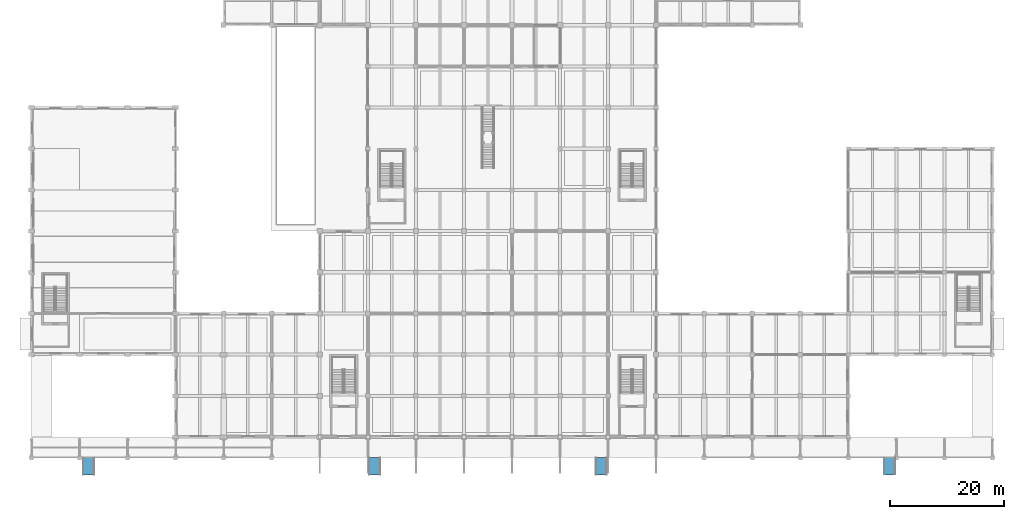
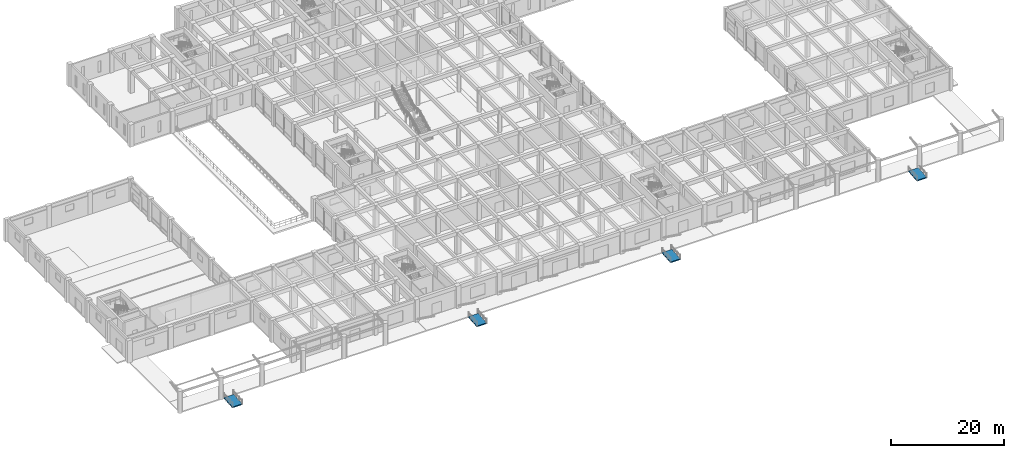
# One storey, part 37 of 49: 4 ramp flights, 4 elements without a shape of their own.
"""IFC4 building model written with IfcOpenShell, lengths in metres."""

from ifc_helpers import new_model, si_unit, direction, frame, origin, place, context, subcontext, project, spatial, polyline, outline, extrude, material, layer, layer_set, type_object, element, aggregate, save


model = new_model("IFC4")

# Units and contexts
model_context = context("Model", 3, precision=1e-05, world=origin(), true_north=direction((0.0, 1.0)))
body_context = subcontext(model_context, "Body", "Model", "MODEL_VIEW")
ifc_project = project(units=[si_unit("LENGTHUNIT", "METRE"), si_unit("AREAUNIT", "SQUARE_METRE"), si_unit("VOLUMEUNIT", "CUBIC_METRE"), si_unit("PLANEANGLEUNIT", "RADIAN"), si_unit("MASSUNIT", "GRAM", prefix="KILO")], contexts=[model_context])

# Site, building, storey
site_placement = place(None, origin())
site = spatial("IfcSite", under=ifc_project, at=site_placement, CompositionType="ELEMENT")
building_placement = place(site_placement, origin())
building = spatial("IfcBuilding", under=site, at=building_placement, Name="Kenerak Square Central Library", CompositionType="ELEMENT")
storey_placement = place(building_placement, origin())
storey = spatial("IfcBuildingStorey", under=building, at=storey_placement, Name="L00", CompositionType="ELEMENT", Elevation=0.0)

# Ramp, ramp flight
ifc_material = material(Name="Concrete C40/50", Category="concrete")
ramp_type = type_object("IfcRampType", Name="Universal Accessible Plaza Ramp PR-2000 C40/50", PredefinedType="STRAIGHT_RUN_RAMP", material=ifc_material)
ramp_1_placement = place(storey_placement, origin())
ramp_1 = element("IfcRamp", 1, at=ramp_1_placement, inside=storey, type_object=ramp_type, Name="South-West Square Accessible Ramp PR-01", PredefinedType="STRAIGHT_RUN_RAMP")
ifc_layer = layer(ifc_material, 0.219970703125)
ifc_layer_set = layer_set([ifc_layer], Name="Concrete C40/50")
ramp_flight_type = type_object("IfcRampFlightType", Name="Pedestrian Ramp Flight PRF-2000 C40/50", PredefinedType="STRAIGHT", material=ifc_layer_set)
ramp_flight_1_placement = place(storey_placement, frame((68.0, 10.199951171875, -0.239990234375), z_axis=(0.0, 0.0, 1.0), x_axis=(0.0, 1.0, 0.0)))
ramp_flight_1 = element("IfcRampFlight", 2, at=ramp_flight_1_placement, type_object=ramp_flight_type, Name="South-West Square Accessible Ramp PR-01 Flight", PredefinedType="STRAIGHT", context=body_context, shape_type="SweptSolid", body=[
    extrude(outline(polyline([(0.0, 0.0), (3.0, 0.239990234375), (3.0, 0.02001953125), (0.0, -0.219970703125), (0.0, 0.0)])), frame((0.0, 1.0, 0.0), z_axis=(0.0, -1.0, 0.0), x_axis=(1.0, 0.0, 0.0)), (0.0, 0.0, 1.0), 2.0),
])
aggregate(ramp_1, [ramp_flight_1])

ramp_2_placement = place(storey_placement, origin())
ramp_2 = element("IfcRamp", 3, at=ramp_2_placement, inside=storey, type_object=ramp_type, Name="South-East Square Accessible Ramp PR-02", PredefinedType="STRAIGHT_RUN_RAMP")
ramp_flight_2_placement = place(storey_placement, frame((107.60009765625, 10.199951171875, -0.239990234375), z_axis=(0.0, 0.0, 1.0), x_axis=(0.0, 1.0, 0.0)))
ramp_flight_2 = element("IfcRampFlight", 4, at=ramp_flight_2_placement, type_object=ramp_flight_type, Name="South-East Square Accessible Ramp PR-02 Flight", PredefinedType="STRAIGHT", context=body_context, shape_type="SweptSolid", body=[
    extrude(outline(polyline([(0.0, 0.0), (3.0, 0.239990234375), (3.0, 0.02001953125), (0.0, -0.219970703125), (0.0, 0.0)])), frame((0.0, 1.0, 0.0), z_axis=(0.0, -1.0, 0.0), x_axis=(1.0, 0.0, 0.0)), (0.0, 0.0, 1.0), 2.0),
])
aggregate(ramp_2, [ramp_flight_2])

ramp_3_placement = place(storey_placement, origin())
ramp_3 = element("IfcRamp", 5, at=ramp_3_placement, inside=storey, type_object=ramp_type, Name="Auditorium Forecourt Accessible Ramp PR-03", PredefinedType="STRAIGHT_RUN_RAMP")
ramp_flight_3_placement = place(storey_placement, frame((18.0, 10.199951171875, -0.239990234375), z_axis=(0.0, 0.0, 1.0), x_axis=(0.0, 1.0, 0.0)))
ramp_flight_3 = element("IfcRampFlight", 6, at=ramp_flight_3_placement, type_object=ramp_flight_type, Name="Auditorium Forecourt Accessible Ramp PR-03 Flight", PredefinedType="STRAIGHT", context=body_context, shape_type="SweptSolid", body=[
    extrude(outline(polyline([(0.0, 0.0), (3.0, 0.239990234375), (3.0, 0.02001953125), (0.0, -0.219970703125), (0.0, 0.0)])), frame((0.0, 1.0, 0.0), z_axis=(0.0, -1.0, 0.0), x_axis=(1.0, 0.0, 0.0)), (0.0, 0.0, 1.0), 2.0),
])
aggregate(ramp_3, [ramp_flight_3])

ramp_4_placement = place(storey_placement, origin())
ramp_4 = element("IfcRamp", 7, at=ramp_4_placement, inside=storey, type_object=ramp_type, Name="Children Pavilion Accessible Ramp PR-04", PredefinedType="STRAIGHT_RUN_RAMP")
ramp_flight_4_placement = place(storey_placement, frame((158.0, 10.199951171875, -0.239990234375), z_axis=(0.0, 0.0, 1.0), x_axis=(0.0, 1.0, 0.0)))
ramp_flight_4 = element("IfcRampFlight", 8, at=ramp_flight_4_placement, type_object=ramp_flight_type, Name="Children Pavilion Accessible Ramp PR-04 Flight", PredefinedType="STRAIGHT", context=body_context, shape_type="SweptSolid", body=[
    extrude(outline(polyline([(0.0, 0.0), (3.0, 0.239990234375), (3.0, 0.02001953125), (0.0, -0.219970703125), (0.0, 0.0)])), frame((0.0, 1.0, 0.0), z_axis=(0.0, -1.0, 0.0), x_axis=(1.0, 0.0, 0.0)), (0.0, 0.0, 1.0), 2.0),
])
aggregate(ramp_4, [ramp_flight_4])

save(model, "model.ifc")
